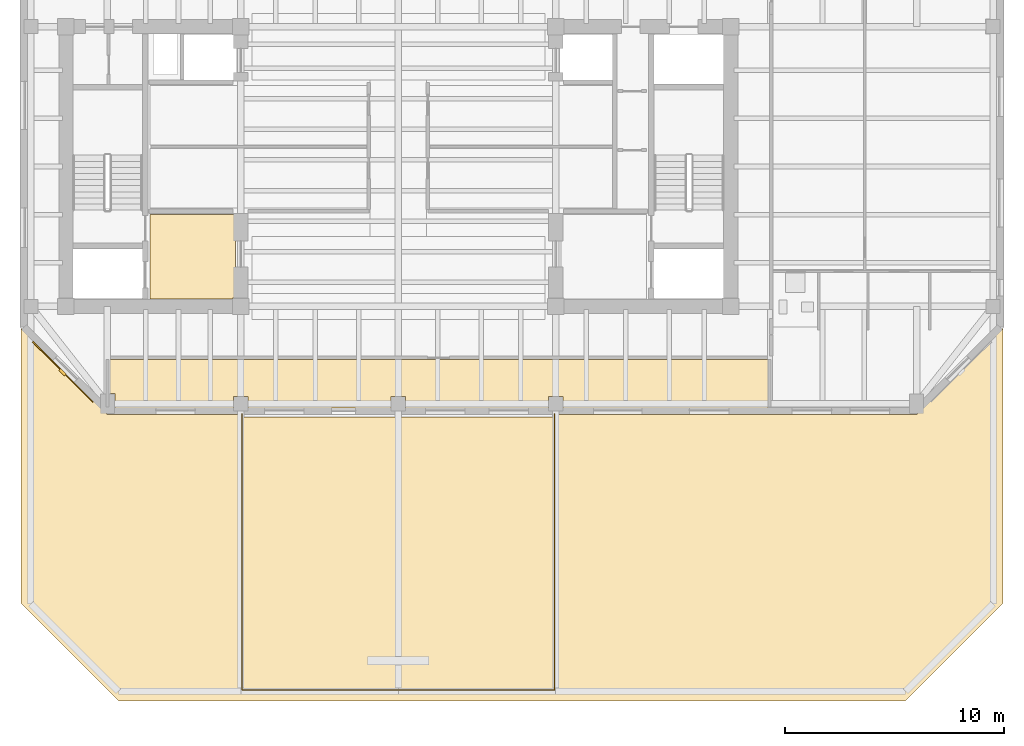
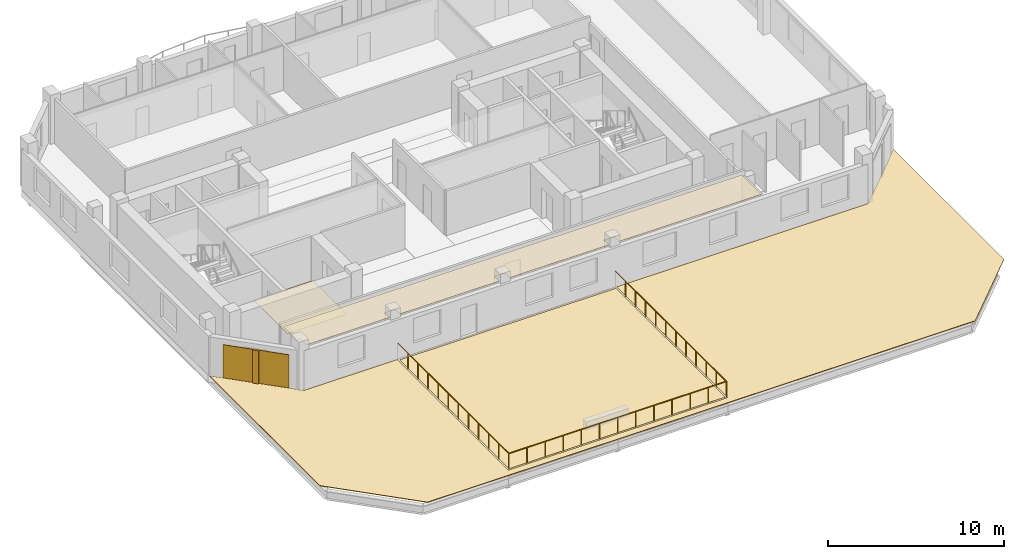
# One storey, part 7 of 10: 5 coverings, 1 railing, 1 shading device.
"""IFC4 building model written with IfcOpenShell, lengths in metres."""

from ifc_helpers import new_model, si_unit, direction, frame, origin, origin_2d, place, context, subcontext, project, spatial, polyline, rectangle, circle, outline, extrude, material, layer, layer_set, type_object, element, save


model = new_model("IFC4")

# Units and contexts
model_context = context("Model", 3, precision=1e-05, world=origin(), true_north=direction((0.0, 1.0)))
body_context = subcontext(model_context, "Body", "Model", "MODEL_VIEW")
ifc_project = project(units=[si_unit("LENGTHUNIT", "METRE"), si_unit("AREAUNIT", "SQUARE_METRE"), si_unit("VOLUMEUNIT", "CUBIC_METRE"), si_unit("PLANEANGLEUNIT", "RADIAN"), si_unit("MASSUNIT", "GRAM", prefix="KILO")], contexts=[model_context])

# Site, building, storey
site_placement = place(None, origin())
site = spatial("IfcSite", under=ifc_project, at=site_placement, CompositionType="ELEMENT")
building_placement = place(site_placement, origin())
building = spatial("IfcBuilding", under=site, at=building_placement, Name="Kranthara Brick Stack", CompositionType="ELEMENT")
storey_placement = place(building_placement, frame((0.0, 0.0, 248.300048828125)))
storey = spatial("IfcBuildingStorey", under=building, at=storey_placement, Name="L65", CompositionType="ELEMENT", Elevation=248.300048828125)

# Coverings
ifc_material_1 = material(Name="Perforated mineral-fibre acoustic ceiling tile", Category="other")
ifc_layer_1 = layer(ifc_material_1, 0.02490234375)
ifc_layer_set_1 = layer_set([ifc_layer_1], Name="Perforated mineral-fibre acoustic ceiling tile")
covering_type_1 = type_object("IfcCoveringType", Name="COV-CEIL-ACOUSTIC", PredefinedType="CEILING", material=ifc_layer_set_1)
covering_1_placement = place(storey_placement, frame((0.0, 0.0, 2.829833984375)))
element("IfcCovering", 1, at=covering_1_placement, inside=storey, type_object=covering_type_1, Name="L65 L65 Sky Club Observation Lounge 1 Acoustic Ceiling", PredefinedType="CEILING", context=body_context, shape_type="SweptSolid", body=[
    extrude(outline(polyline([(35.534912109375, 16.14990234375), (35.534912109375, 16.68505859375), (34.864990234375, 16.68505859375), (34.864990234375, 16.14990234375), (28.3349609375, 16.14990234375), (28.3349609375, 16.68505859375), (27.6650390625, 16.68505859375), (27.6650390625, 16.14990234375), (21.135009765625, 16.14990234375), (21.135009765625, 16.68505859375), (20.465087890625, 16.68505859375), (20.465087890625, 16.14990234375), (15.034912109375, 16.14990234375), (15.034912109375, 16.81005859375), (14.780029296875, 16.81005859375), (14.780029296875, 18.3798828125), (44.89990234375, 18.3798828125), (44.89990234375, 16.14990234375), (35.534912109375, 16.14990234375)])), origin(), (0.0, 0.0, 1.0), 0.025146484375),
])
ifc_material_2 = material(Name="Warm buff kiln-fired brick slip rainscreen", Category="masonry")
ifc_layer_2 = layer(ifc_material_2, 0.044921875)
ifc_layer_set_2 = layer_set([ifc_layer_2], Name="Warm buff kiln-fired brick slip rainscreen")
covering_type_2 = type_object("IfcCoveringType", Name="COV-CLAD-BRICK", PredefinedType="CLADDING", material=ifc_layer_set_2)
covering_2_placement = place(storey_placement, frame((12.66259765625, 17.812744140625, 0.0498046875), z_axis=(0.0, 0.0, 1.0), x_axis=(-0.707106781187, 0.707106781187, 0.0)))
element("IfcCovering", 2, at=covering_2_placement, inside=storey, type_object=covering_type_2, Name="L65 Chamfer Brick Rainscreen Cladding SW", PredefinedType="CLADDING", context=body_context, shape_type="SweptSolid", body=[
    extrude(rectangle(XDim=3.889892578125, YDim=0.044921875, at=origin_2d()), origin(), (0.0, 0.0, 1.0), 2.300048828125),
])
ifc_material_3 = material(Name="Honed terrazzo and porcelain floor finish", Category="stone")
ifc_layer_3 = layer(ifc_material_3, 0.030029296875)
ifc_layer_set_3 = layer_set([ifc_layer_3], Name="Honed terrazzo and porcelain floor finish")
covering_type_3 = type_object("IfcCoveringType", Name="COV-FLOR-STONE", PredefinedType="FLOORING", material=ifc_layer_set_3)
covering_3_placement = place(storey_placement, origin())
element("IfcCovering", 3, at=covering_3_placement, inside=storey, type_object=covering_type_3, Name="L65 Lift Lobby Stone Flooring", PredefinedType="FLOORING", context=body_context, shape_type="SweptSolid", body=[
    extrude(outline(polyline([(16.64990234375, 21.14990234375), (16.64990234375, 25.0), (20.550048828125, 25.0), (20.550048828125, 21.18505859375), (20.4150390625, 21.18505859375), (20.4150390625, 21.14990234375), (16.64990234375, 21.14990234375)])), origin(), (0.0, 0.0, 1.0), 0.030029296875),
])
ifc_material_4 = material(Name="EPDM waterproofing membrane and rigid insulation", Category="other")
ifc_layer_4 = layer(ifc_material_4, 0.0400390625)
ifc_layer_set_4 = layer_set([ifc_layer_4], Name="EPDM waterproofing membrane and rigid insulation")
covering_type_4 = type_object("IfcCoveringType", Name="COV-ROOF-MEMB", PredefinedType="ROOFING", material=ifc_layer_set_4)
covering_4_placement = place(storey_placement, frame((0.0, 0.0, -0.0400390625)))
element("IfcCovering", 4, at=covering_4_placement, inside=storey, type_object=covering_type_4, Name="L65 Sky Garden Waterproofing Membrane", PredefinedType="ROOFING", context=body_context, shape_type="SweptSolid", body=[
    extrude(outline(polyline([(20.89990234375, 3.300048828125), (35.10009765625, 3.300048828125), (35.10009765625, 15.75), (20.89990234375, 15.75), (20.89990234375, 3.300048828125)])), origin(), (0.0, 0.0, 1.0), 0.0400390625),
])
covering_5_placement = place(storey_placement, frame((0.0, 0.0, -0.0400390625)))
element("IfcCovering", 5, at=covering_5_placement, inside=storey, type_object=covering_type_4, Name="L65 Setback Flat Roof Waterproofing Membrane 01", PredefinedType="ROOFING", context=body_context, shape_type="SweptSolid", body=[
    extrude(outline(polyline([(10.75, 7.220703125), (10.75, 19.800048828125), (14.699951171875, 15.85009765625), (20.800048828125, 15.85009765625), (20.800048828125, 3.199951171875), (35.199951171875, 3.199951171875), (35.199951171875, 15.85009765625), (51.699951171875, 15.85009765625), (55.64990234375, 19.800048828125), (55.64990234375, 7.220703125), (51.17919921875, 2.75), (15.220703125, 2.75), (10.75, 7.220703125)])), origin(), (0.0, 0.0, 1.0), 0.0400390625),
])

# Railing
ifc_material_5 = material(Name="Bronze anodised aluminium guardrail", Category="aluminium")
railing_type = type_object("IfcRailingType", Name="RL-TERR-1100", PredefinedType="GUARDRAIL", material=ifc_material_5)
railing_placement = place(storey_placement, frame((20.860107421875, 15.889892578125, 0.0)))
element("IfcRailing", 6, at=railing_placement, inside=storey, type_object=railing_type, Name="L65 Sky Garden Perimeter Guardrail", PredefinedType="GUARDRAIL", context=body_context, shape_type="SweptSolid", body=[
    extrude(circle(Radius=0.02392578125, at=origin_2d()), frame((0.0, 0.0, 1.09619140625), z_axis=(0.0, -1.0, 0.0), x_axis=(1.0, 0.0, 0.0)), (0.0, 0.0, 1.0), 12.6298828125),
    extrude(circle(Radius=0.02392578125, at=origin_2d()), frame((0.0, -12.6298828125, 1.09619140625), z_axis=(1.0, 0.0, 0.0), x_axis=(0.0, 1.0, 0.0)), (0.0, 0.0, 1.0), 14.27978515625),
    extrude(circle(Radius=0.02392578125, at=origin_2d()), frame((14.27978515625, -12.6298828125, 1.09619140625), z_axis=(0.0, 1.0, 0.0), x_axis=(-1.0, 0.0, 0.0)), (0.0, 0.0, 1.0), 12.6298828125),
    extrude(circle(Radius=0.02099609375, at=origin_2d()), origin(), (0.0, 0.0, 1.0), 1.072021484375),
    extrude(circle(Radius=0.02099609375, at=origin_2d()), frame((0.0, -1.148193359375, 0.0)), (0.0, 0.0, 1.0), 1.072021484375),
    extrude(circle(Radius=0.02099609375, at=origin_2d()), frame((0.0, -2.29638671875, 0.0)), (0.0, 0.0, 1.0), 1.072021484375),
    extrude(circle(Radius=0.02099609375, at=origin_2d()), frame((0.0, -3.444580078125, 0.0)), (0.0, 0.0, 1.0), 1.072021484375),
    extrude(circle(Radius=0.02099609375, at=origin_2d()), frame((0.0, -4.5927734375, 0.0)), (0.0, 0.0, 1.0), 1.072021484375),
    extrude(circle(Radius=0.02099609375, at=origin_2d()), frame((0.0, -5.740966796875, 0.0)), (0.0, 0.0, 1.0), 1.072021484375),
    extrude(circle(Radius=0.02099609375, at=origin_2d()), frame((0.0, -6.888916015625, 0.0)), (0.0, 0.0, 1.0), 1.072021484375),
    extrude(circle(Radius=0.02099609375, at=origin_2d()), frame((0.0, -8.037109375, 0.0)), (0.0, 0.0, 1.0), 1.072021484375),
    extrude(circle(Radius=0.02099609375, at=origin_2d()), frame((0.0, -9.185302734375, 0.0)), (0.0, 0.0, 1.0), 1.072021484375),
    extrude(circle(Radius=0.02099609375, at=origin_2d()), frame((0.0, -10.33349609375, 0.0)), (0.0, 0.0, 1.0), 1.072021484375),
    extrude(circle(Radius=0.02099609375, at=origin_2d()), frame((0.0, -11.481689453125, 0.0)), (0.0, 0.0, 1.0), 1.072021484375),
    extrude(circle(Radius=0.02099609375, at=origin_2d()), frame((0.0, -12.6298828125, 0.0)), (0.0, 0.0, 1.0), 1.072021484375),
    extrude(circle(Radius=0.02099609375, at=origin_2d()), frame((1.18994140625, -12.6298828125, 0.0)), (0.0, 0.0, 1.0), 1.072021484375),
    extrude(circle(Radius=0.02099609375, at=origin_2d()), frame((2.3798828125, -12.6298828125, 0.0)), (0.0, 0.0, 1.0), 1.072021484375),
    extrude(circle(Radius=0.02099609375, at=origin_2d()), frame((3.56982421875, -12.6298828125, 0.0)), (0.0, 0.0, 1.0), 1.072021484375),
    extrude(circle(Radius=0.02099609375, at=origin_2d()), frame((4.760009765625, -12.6298828125, 0.0)), (0.0, 0.0, 1.0), 1.072021484375),
    extrude(circle(Radius=0.02099609375, at=origin_2d()), frame((5.949951171875, -12.6298828125, 0.0)), (0.0, 0.0, 1.0), 1.072021484375),
    extrude(circle(Radius=0.02099609375, at=origin_2d()), frame((7.139892578125, -12.6298828125, 0.0)), (0.0, 0.0, 1.0), 1.072021484375),
    extrude(circle(Radius=0.02099609375, at=origin_2d()), frame((8.329833984375, -12.6298828125, 0.0)), (0.0, 0.0, 1.0), 1.072021484375),
    extrude(circle(Radius=0.02099609375, at=origin_2d()), frame((9.519775390625, -12.6298828125, 0.0)), (0.0, 0.0, 1.0), 1.072021484375),
    extrude(circle(Radius=0.02099609375, at=origin_2d()), frame((10.7099609375, -12.6298828125, 0.0)), (0.0, 0.0, 1.0), 1.072021484375),
    extrude(circle(Radius=0.02099609375, at=origin_2d()), frame((11.89990234375, -12.6298828125, 0.0)), (0.0, 0.0, 1.0), 1.072021484375),
    extrude(circle(Radius=0.02099609375, at=origin_2d()), frame((13.08984375, -12.6298828125, 0.0)), (0.0, 0.0, 1.0), 1.072021484375),
    extrude(circle(Radius=0.02099609375, at=origin_2d()), frame((14.27978515625, -12.6298828125, 0.0)), (0.0, 0.0, 1.0), 1.072021484375),
    extrude(circle(Radius=0.02099609375, at=origin_2d()), frame((14.27978515625, -11.481689453125, 0.0)), (0.0, 0.0, 1.0), 1.072021484375),
    extrude(circle(Radius=0.02099609375, at=origin_2d()), frame((14.27978515625, -10.33349609375, 0.0)), (0.0, 0.0, 1.0), 1.072021484375),
    extrude(circle(Radius=0.02099609375, at=origin_2d()), frame((14.27978515625, -9.185302734375, 0.0)), (0.0, 0.0, 1.0), 1.072021484375),
    extrude(circle(Radius=0.02099609375, at=origin_2d()), frame((14.27978515625, -8.037109375, 0.0)), (0.0, 0.0, 1.0), 1.072021484375),
    extrude(circle(Radius=0.02099609375, at=origin_2d()), frame((14.27978515625, -6.888916015625, 0.0)), (0.0, 0.0, 1.0), 1.072021484375),
    extrude(circle(Radius=0.02099609375, at=origin_2d()), frame((14.27978515625, -5.740966796875, 0.0)), (0.0, 0.0, 1.0), 1.072021484375),
    extrude(circle(Radius=0.02099609375, at=origin_2d()), frame((14.27978515625, -4.5927734375, 0.0)), (0.0, 0.0, 1.0), 1.072021484375),
    extrude(circle(Radius=0.02099609375, at=origin_2d()), frame((14.27978515625, -3.444580078125, 0.0)), (0.0, 0.0, 1.0), 1.072021484375),
    extrude(circle(Radius=0.02099609375, at=origin_2d()), frame((14.27978515625, -2.29638671875, 0.0)), (0.0, 0.0, 1.0), 1.072021484375),
    extrude(circle(Radius=0.02099609375, at=origin_2d()), frame((14.27978515625, -1.148193359375, 0.0)), (0.0, 0.0, 1.0), 1.072021484375),
    extrude(circle(Radius=0.02099609375, at=origin_2d()), frame((14.27978515625, 0.0, 0.0)), (0.0, 0.0, 1.0), 1.072021484375),
])

# Shading device
ifc_material_6 = material(Name="Kiln-fired terracotta aerodynamic wind fin", Category="masonry")
shading_device_type = type_object("IfcShadingDeviceType", Name="SHD-BAFFLE-CORNER", PredefinedType="SHUTTER", material=ifc_material_6)
shading_device_placement = place(storey_placement, frame((12.6416015625, 17.79150390625, 0.0498046875), z_axis=(0.0, 0.0, 1.0), x_axis=(-0.707106781187, 0.707106781187, 0.0)))
element("IfcShadingDevice", 7, at=shading_device_placement, inside=storey, type_object=shading_device_type, Name="L65 Chamfer Wind-Baffle Fin SW", PredefinedType="SHUTTER", context=body_context, shape_type="SweptSolid", body=[
    extrude(rectangle(XDim=0.35009765625, YDim=0.1201171875, at=origin_2d()), origin(), (0.0, 0.0, 1.0), 2.300048828125),
])

save(model, "model.ifc")
